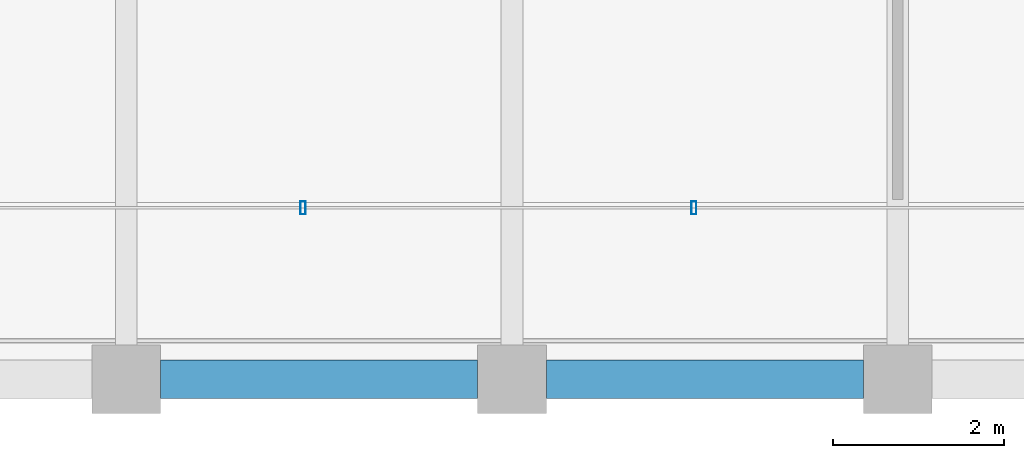
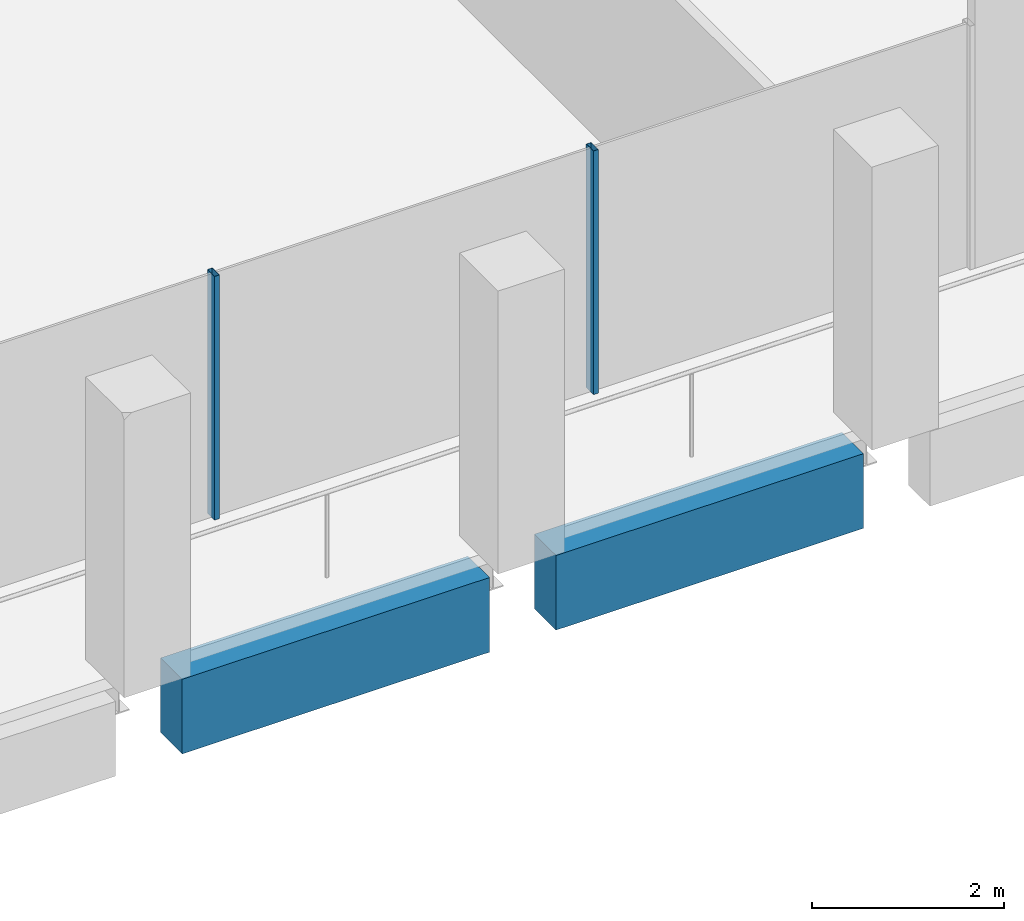
# One storey, part 3 of 30: 2 beams, 2 members, 1 element without a shape of its own.
"""IFC4 building model written with IfcOpenShell, lengths in metres."""

from ifc_helpers import new_model, si_unit, direction, frame, origin, origin_2d, place, context, subcontext, project, spatial, rectangle, hollow_rectangle, extrude, material, material_profile, profile_set, type_object, element, aggregate, save


model = new_model("IFC4")

# Units and contexts
model_context = context("Model", 3, precision=1e-05, world=origin(), true_north=direction((0.0, 1.0)))
body_context = subcontext(model_context, "Body", "Model", "MODEL_VIEW")
ifc_project = project(units=[si_unit("LENGTHUNIT", "METRE"), si_unit("AREAUNIT", "SQUARE_METRE"), si_unit("VOLUMEUNIT", "CUBIC_METRE"), si_unit("PLANEANGLEUNIT", "RADIAN"), si_unit("MASSUNIT", "GRAM", prefix="KILO")], contexts=[model_context])

# Site, building, storey
site_placement = place(None, origin())
site = spatial("IfcSite", under=ifc_project, at=site_placement, CompositionType="ELEMENT")
building_placement = place(site_placement, origin())
building = spatial("IfcBuilding", under=site, at=building_placement, Name="Altepetl Exchange Towers", CompositionType="ELEMENT")
storey_placement = place(building_placement, frame((0.0, 0.0, 220.800048828125)))
storey = spatial("IfcBuildingStorey", under=building, at=storey_placement, Name="L56", CompositionType="ELEMENT", Elevation=220.800048828125)

# Curtain wall, members
ifc_material_1 = material(Name="Aluminium 6063-T6 glazing", Category="aluminium")
curtain_wall_type = type_object("IfcCurtainWallType", Name="Loggia glazing system", PredefinedType="NOTDEFINED", material=ifc_material_1)
curtain_wall_placement = place(storey_placement, origin())
curtain_wall = element("IfcCurtainWall", 1, at=curtain_wall_placement, inside=storey, type_object=curtain_wall_type, Name="CW1 run", PredefinedType="NOTDEFINED")
ifc_material_2 = material(Name="Aluminium 6063-T6", Category="aluminium")
ifc_material_profile_1 = material_profile(ifc_material_2, hollow_rectangle(XDim=0.06005859375, YDim=0.14990234375, WallThickness=0.0029296875, at=origin_2d()), Name="Mullion 60x150 aluminium")
ifc_profile_set_1 = profile_set([ifc_material_profile_1], Name="Aluminium 6063-T6")
member_type = type_object("IfcMemberType", Name="Mullion 60x150 aluminium", PredefinedType="MULLION", material=ifc_profile_set_1)
member_1_placement = place(storey_placement, frame((38.060791015625, 29.0, 0.0)))
member_1 = element("IfcMember", 2, at=member_1_placement, type_object=member_type, Name="MU1 mullion", PredefinedType="MULLION", context=body_context, shape_type="SweptSolid", body=[
    extrude(hollow_rectangle(XDim=0.06005859375, YDim=0.14990234375, WallThickness=0.0029296875, at=origin_2d()), origin(), (0.0, 0.0, 1.0), 3.099853515625),
])
member_2_placement = place(storey_placement, frame((42.621337890625, 29.0, 0.0)))
member_2 = element("IfcMember", 3, at=member_2_placement, type_object=member_type, Name="MU1 mullion", PredefinedType="MULLION", context=body_context, shape_type="SweptSolid", body=[
    extrude(hollow_rectangle(XDim=0.06005859375, YDim=0.14990234375, WallThickness=0.0029296875, at=origin_2d()), origin(), (0.0, 0.0, 1.0), 3.099853515625),
])
aggregate(curtain_wall, [member_1, member_2])

# Beams
ifc_material_3 = material(Name="Concrete C50/60 precast with cantera blanca facing", Category="concrete")
ifc_material_profile_2 = material_profile(ifc_material_3, rectangle(XDim=0.449951171875, YDim=0.949951171875, at=origin_2d()), Name="450 x 950")
ifc_profile_set_2 = profile_set([ifc_material_profile_2], Name="Concrete C50/60 precast with cantera blanca facing")
beam_type = type_object("IfcBeamType", Name="Spandrel beam 450x950 cantera blanca", PredefinedType="SPANDREL", material=ifc_profile_set_2)
for number, where, z_axis, x_axis, name in (
    (4, (36.39990234375, 27.0, -0.625), (1.0, 0.0, 0.0), (0.0, 1.0, 0.0), "sp:A:L56:001"),
    (5, (40.89990234375, 27.0, -0.625), (1.0, 0.0, 0.0), (0.0, 1.0, 0.0), "sp:A:L56:002"),
):
    element("IfcBeam", number, at=place(storey_placement, frame(where, z_axis=z_axis, x_axis=x_axis)), inside=storey, type_object=beam_type, Name=name, PredefinedType="SPANDREL", context=body_context, shape_type="SweptSolid", body=[
        extrude(rectangle(XDim=0.449951171875, YDim=0.949951171875, at=origin_2d()), origin(), (0.0, 0.0, 1.0), 3.7001953125),
    ])

save(model, "model.ifc")
